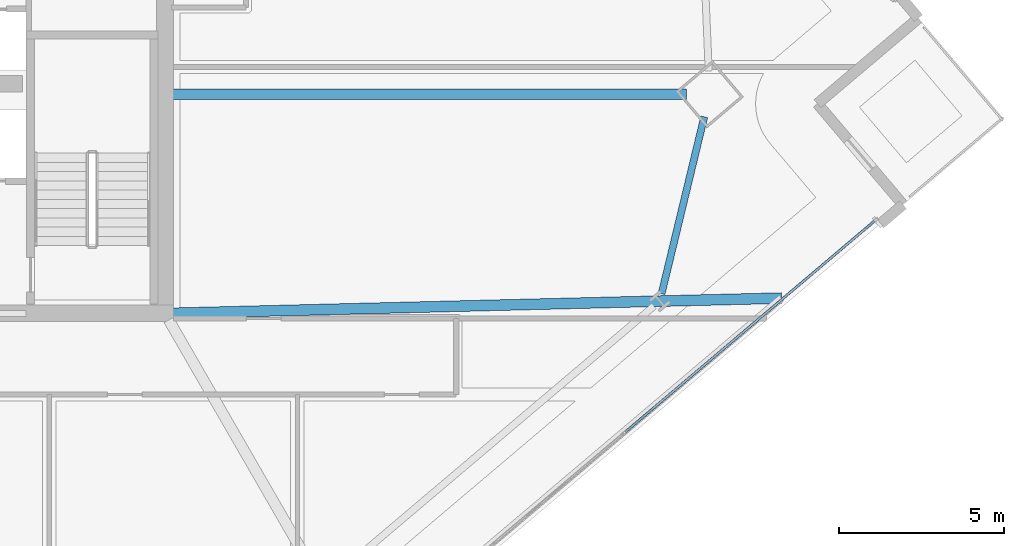
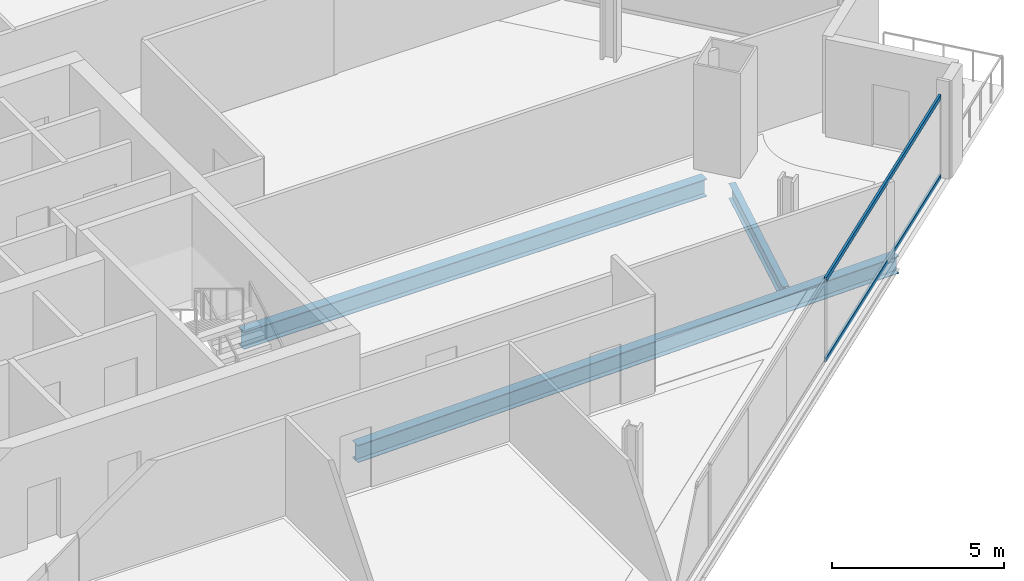
# One storey, part 12 of 34: 3 beams, 2 members, 1 element without a shape of its own.
"""IFC4 building model written with IfcOpenShell, lengths in metres."""

from ifc_helpers import new_model, si_unit, direction, frame, origin, origin_2d, place, context, subcontext, project, spatial, hollow_rectangle, i_section, extrude, material, material_profile, profile_set, type_object, element, aggregate, save


model = new_model("IFC4")

# Units and contexts
model_context = context("Model", 3, precision=1e-05, world=origin(), true_north=direction((0.0, 1.0)))
body_context = subcontext(model_context, "Body", "Model", "MODEL_VIEW")
ifc_project = project(units=[si_unit("LENGTHUNIT", "METRE"), si_unit("AREAUNIT", "SQUARE_METRE"), si_unit("VOLUMEUNIT", "CUBIC_METRE"), si_unit("PLANEANGLEUNIT", "RADIAN"), si_unit("MASSUNIT", "GRAM", prefix="KILO")], contexts=[model_context])

# Site, building, storey
site_placement = place(None, origin())
site = spatial("IfcSite", under=ifc_project, at=site_placement, CompositionType="ELEMENT")
building_placement = place(site_placement, origin())
building = spatial("IfcBuilding", under=site, at=building_placement, Name="Haldenkirk Collegiate Tower", CompositionType="ELEMENT")
storey_placement = place(building_placement, frame((0.0, 0.0, 163.199951171875)))
storey = spatial("IfcBuildingStorey", under=building, at=storey_placement, Name="L40", CompositionType="ELEMENT", Elevation=163.199951171875)

# Beams
ifc_material_1 = material(Name="Steel ASTM A992 Grade 50", Category="steel")
ifc_material_profile_1 = material_profile(ifc_material_1, i_section(OverallWidth=0.324951171875, OverallDepth=0.615966796875, WebThickness=0.013916015625, FlangeThickness=0.021484375, at=origin_2d()), Name="W24X117")
ifc_profile_set_1 = profile_set([ifc_material_profile_1], Name="Steel ASTM A992 Grade 50")
beam_type_1 = type_object("IfcBeamType", Name="BM-GIRDER-W24X117", PredefinedType="BEAM", material=ifc_profile_set_1)
beam_1_placement = place(storey_placement, frame((60.760009765625, 24.62890625, -0.597900390625), z_axis=(-1.0, 0.0, 0.0), x_axis=(0.0, -1.0, 0.0)))
element("IfcBeam", 1, at=beam_1_placement, inside=storey, type_object=beam_type_1, Name="L40 primary floor girder 02", PredefinedType="BEAM", context=body_context, shape_type="SweptSolid", body=[
    extrude(i_section(OverallWidth=0.324951171875, OverallDepth=0.615966796875, WebThickness=0.013916015625, FlangeThickness=0.021484375, at=origin_2d()), origin(), (0.0, 0.0, 1.0), 15.530029296875),
])
beam_2_placement = place(storey_placement, frame((63.6318359375, 18.46435546875, -0.597900390625), z_axis=(-0.999689416718, -0.02492127808, 0.0), x_axis=(0.02492127808, -0.999689416718, 0.0)))
element("IfcBeam", 2, at=beam_2_placement, inside=storey, type_object=beam_type_1, Name="L40 primary floor girder 07", PredefinedType="BEAM", context=body_context, shape_type="SweptSolid", body=[
    extrude(i_section(OverallWidth=0.324951171875, OverallDepth=0.615966796875, WebThickness=0.013916015625, FlangeThickness=0.021484375, at=origin_2d()), origin(), (0.0, 0.0, 1.0), 18.407470703125),
])
ifc_material_profile_2 = material_profile(ifc_material_1, i_section(OverallWidth=0.2119140625, OverallDepth=0.5439453125, WebThickness=0.01318359375, FlangeThickness=0.021240234375, at=origin_2d()), Name="W21X83")
ifc_profile_set_2 = profile_set([ifc_material_profile_2], Name="Steel ASTM A992 Grade 50")
beam_type_2 = type_object("IfcBeamType", Name="BM-SPANDREL-W21X83", PredefinedType="SPANDREL", material=ifc_profile_set_2)
beam_3_placement = place(storey_placement, frame((60.010009765625, 18.595458984375, -0.56201171875), z_axis=(0.23444531808, 0.972129308698, 0.0), x_axis=(-0.972129308698, 0.23444531808, 0.0)))
element("IfcBeam", 3, at=beam_3_placement, inside=storey, type_object=beam_type_2, Name="L40 perimeter spandrel beam 04", PredefinedType="SPANDREL", context=body_context, shape_type="SweptSolid", body=[
    extrude(i_section(OverallWidth=0.2119140625, OverallDepth=0.5439453125, WebThickness=0.01318359375, FlangeThickness=0.021240234375, at=origin_2d()), origin(), (0.0, 0.0, 1.0), 5.50146484375),
])

# Curtain wall, members
ifc_material_2 = material(Name="Anodised architectural bronze aluminium", Category="aluminium")
curtain_wall_type = type_object("IfcCurtainWallType", Name="CW-SYS2-CONCAVE", PredefinedType="USERDEFINED", material=ifc_material_2)
curtain_wall_placement = place(storey_placement, origin())
curtain_wall = element("IfcCurtainWall", 4, at=curtain_wall_placement, inside=storey, type_object=curtain_wall_type, Name="L40 South concave recessed bronze-anodised curtain wall", ObjectType="UNITISED CURTAIN WALL", PredefinedType="USERDEFINED")
ifc_material_profile_3 = material_profile(ifc_material_2, hollow_rectangle(XDim=0.074951171875, YDim=0.159912109375, WallThickness=0.0048828125, at=origin_2d()), Name="CW-TRN-02")
ifc_profile_set_3 = profile_set([ifc_material_profile_3], Name="Anodised architectural bronze aluminium")
member_type = type_object("IfcMemberType", Name="CW-TRN-02", PredefinedType="USERDEFINED", material=ifc_profile_set_3)
member_1_placement = place(storey_placement, frame((66.44677734375, 20.795166015625, 0.03759765625), z_axis=(-0.763235090431, -0.646120883995, 0.0), x_axis=(0.646120883995, -0.763235090431, 0.0)))
member_1 = element("IfcMember", 5, at=member_1_placement, type_object=member_type, Name="CW-02 transom 1.1", ObjectType="TRANSOM", PredefinedType="USERDEFINED", context=body_context, shape_type="SweptSolid", body=[
    extrude(hollow_rectangle(XDim=0.074951171875, YDim=0.159912109375, WallThickness=0.0048828125, at=origin_2d()), origin(), (0.0, 0.0, 1.0), 9.8623046875),
])
member_2_placement = place(storey_placement, frame((66.44677734375, 20.795166015625, 2.87353515625), z_axis=(-0.763235090431, -0.646120883995, 0.0), x_axis=(0.646120883995, -0.763235090431, 0.0)))
member_2 = element("IfcMember", 6, at=member_2_placement, type_object=member_type, Name="CW-02 transom 1.2", ObjectType="TRANSOM", PredefinedType="USERDEFINED", context=body_context, shape_type="SweptSolid", body=[
    extrude(hollow_rectangle(XDim=0.074951171875, YDim=0.159912109375, WallThickness=0.0048828125, at=origin_2d()), origin(), (0.0, 0.0, 1.0), 9.8623046875),
])
aggregate(curtain_wall, [member_1, member_2])

save(model, "model.ifc")
